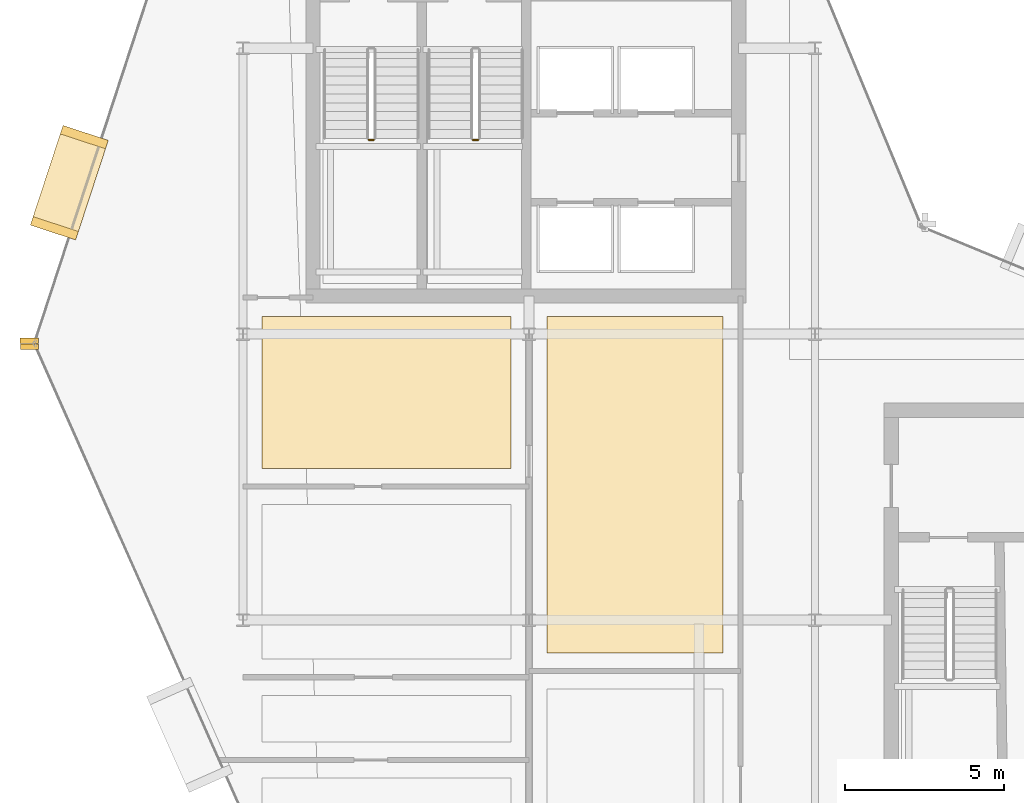
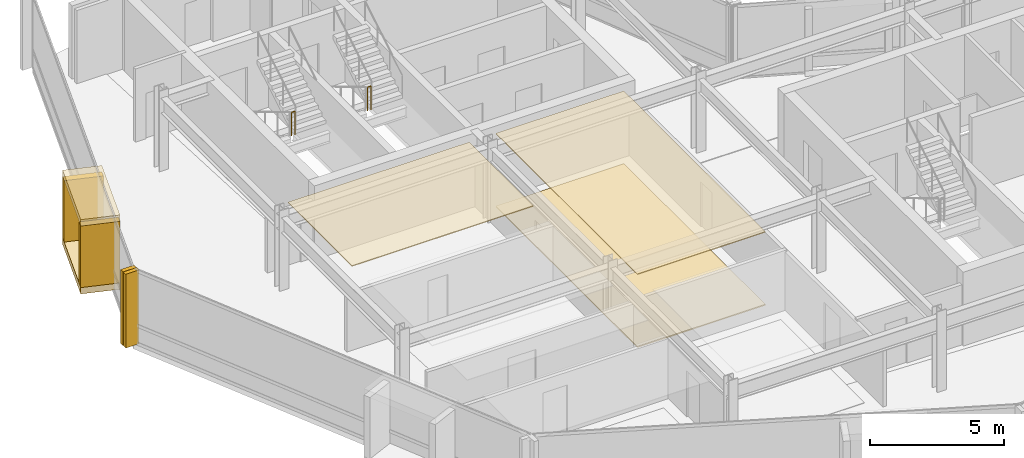
# One storey, part 23 of 27: 9 coverings, 2 railings.
"""IFC4 building model written with IfcOpenShell, lengths in metres."""

from ifc_helpers import new_model, si_unit, direction, frame, origin, origin_2d, place, context, subcontext, project, spatial, polyline, rectangle, circle, outline, extrude, material, layer, layer_set, type_object, element, save


model = new_model("IFC4")

# Units and contexts
model_context = context("Model", 3, precision=1e-05, world=origin(), true_north=direction((0.0, 1.0)))
body_context = subcontext(model_context, "Body", "Model", "MODEL_VIEW")
ifc_project = project(units=[si_unit("LENGTHUNIT", "METRE"), si_unit("AREAUNIT", "SQUARE_METRE"), si_unit("VOLUMEUNIT", "CUBIC_METRE"), si_unit("PLANEANGLEUNIT", "RADIAN"), si_unit("MASSUNIT", "GRAM", prefix="KILO")], contexts=[model_context])

# Site, building, storey
site_placement = place(None, origin())
site = spatial("IfcSite", under=ifc_project, at=site_placement, CompositionType="ELEMENT")
building_placement = place(site_placement, origin())
building = spatial("IfcBuilding", under=site, at=building_placement, Name="Solvaryn Broadcast Tower", CompositionType="ELEMENT")
storey_placement = place(building_placement, frame((0.0, 0.0, 232.10009765625)))
storey = spatial("IfcBuildingStorey", under=building, at=storey_placement, Name="L58", CompositionType="ELEMENT", Elevation=232.10009765625)

# Coverings
ifc_material_1 = material(Name="Micro-Perforated Acoustic Gypsum Ceiling", Category="concrete")
ifc_layer_1 = layer(ifc_material_1, 0.0400390625)
ifc_layer_set_1 = layer_set([ifc_layer_1], Name="CV-CEIL-ACOUSTIC")
covering_type_1 = type_object("IfcCoveringType", Name="CV-CEIL-ACOUSTIC", PredefinedType="CEILING", material=ifc_layer_set_1)
covering_1_placement = place(storey_placement, frame((0.0, 0.0, 3.329833984375)))
element("IfcCovering", 1, at=covering_1_placement, inside=storey, type_object=covering_type_1, Name="L58 Room Acoustic Ceiling 2", PredefinedType="CEILING", context=body_context, shape_type="SweptSolid", body=[
    extrude(outline(polyline([(18.570068359375, 16.969970703125), (24.10009765625, 16.969970703125), (24.10009765625, 27.56005859375), (18.570068359375, 27.56005859375), (18.570068359375, 16.969970703125)])), origin(), (0.0, 0.0, 1.0), 0.0400390625),
])
covering_2_placement = place(storey_placement, frame((0.0, 0.0, 3.329833984375)))
element("IfcCovering", 2, at=covering_2_placement, inside=storey, type_object=covering_type_1, Name="L58 Room Acoustic Ceiling 6", PredefinedType="CEILING", context=body_context, shape_type="SweptSolid", body=[
    extrude(outline(polyline([(9.60009765625, 22.77001953125), (17.429931640625, 22.77001953125), (17.429931640625, 27.56005859375), (9.60009765625, 27.56005859375), (9.60009765625, 22.77001953125)])), origin(), (0.0, 0.0, 1.0), 0.0400390625),
])
ifc_material_2 = material(Name="Newsroom Raised Data Access Flooring", Category="steel")
ifc_layer_2 = layer(ifc_material_2, 0.050048828125)
ifc_layer_set_2 = layer_set([ifc_layer_2], Name="CV-FLOOR-RAISED")
covering_type_2 = type_object("IfcCoveringType", Name="CV-FLOOR-RAISED", PredefinedType="FLOORING", material=ifc_layer_set_2)
covering_3_placement = place(storey_placement, origin())
element("IfcCovering", 3, at=covering_3_placement, inside=storey, type_object=covering_type_2, Name="L58 Room Acoustic Floor Finish 2", PredefinedType="FLOORING", context=body_context, shape_type="SweptSolid", body=[
    extrude(outline(polyline([(18.570068359375, 16.969970703125), (24.10009765625, 16.969970703125), (24.10009765625, 27.56005859375), (18.570068359375, 27.56005859375), (18.570068359375, 16.969970703125)])), origin(), (0.0, 0.0, 1.0), 0.0498046875),
])
ifc_material_3 = material(Name="Glazed Architectural Terracotta Rainscreen Cladding", Category="masonry")
ifc_layer_3 = layer(ifc_material_3, 0.280029296875)
ifc_layer_set_3 = layer_set([ifc_layer_3], Name="CV-TC-CLAD")
covering_type_3 = type_object("IfcCoveringType", Name="CV-TC-CLAD", PredefinedType="CLADDING", material=ifc_layer_set_3)
for number, where, z_axis, x_axis, name in (
    (4, (3.533935546875, 31.763916015625, 3.080078125), (0.0, 0.0, 1.0), (-0.311505792684, -0.950244253402, 0.0), "L58 Projecting Stone Window Box Hood 1"),
    (5, (3.533935546875, 31.763916015625, -0.01025390625), (0.0, 0.0, 1.0), (-0.311505792684, -0.950244253402, 0.0), "L58 Projecting Stone Window Box Sill 1"),
):
    element("IfcCovering", number, at=place(storey_placement, frame(where, z_axis=z_axis, x_axis=x_axis)), inside=storey, type_object=covering_type_3, Name=name, PredefinedType="CLADDING", context=body_context, shape_type="SweptSolid", body=[
        extrude(rectangle(XDim=3.300048828125, YDim=1.5, at=origin_2d()), origin(), (0.0, 0.0, 1.0), 0.300048828125),
    ])
for number, where, z_axis, x_axis, name in (
    (6, (4.00439453125, 33.198974609375, 0.27978515625), (0.0, 0.0, 1.0), (-0.311505792684, -0.950244253402, 0.0), "L58 Projecting Stone Window Box Cheek 1-1"),
    (7, (3.063720703125, 30.3291015625, 0.27978515625), (0.0, 0.0, 1.0), (-0.311505792684, -0.950244253402, 0.0), "L58 Projecting Stone Window Box Cheek 1-2"),
):
    element("IfcCovering", number, at=place(storey_placement, frame(where, z_axis=z_axis, x_axis=x_axis)), inside=storey, type_object=covering_type_3, Name=name, PredefinedType="CLADDING", context=body_context, shape_type="SweptSolid", body=[
        extrude(rectangle(XDim=0.280029296875, YDim=1.5, at=origin_2d()), origin(), (0.0, 0.0, 1.0), 2.81005859375),
    ])
ifc_material_4 = material(Name="Extruded Architectural Terracotta Fin", Category="masonry")
ifc_layer_4 = layer(ifc_material_4, 0.179931640625)
ifc_layer_set_4 = layer_set([ifc_layer_4], Name="CV-TC-FIN")
covering_type_4 = type_object("IfcCoveringType", Name="CV-TC-FIN", PredefinedType="USERDEFINED", material=ifc_layer_set_4)
for number, where, z_axis, x_axis, name in (
    (8, (2.271240234375, 26.790771484375, -0.000244140625), (0.0, 0.0, 1.0), (1.0, 0.0, 0.0), "L58 Terracotta Vertical Fin FIN-L58-DR1-M01"),
    (9, (2.281005859375, 26.605712890625, -0.000244140625), (0.0, 0.0, 1.0), (1.0, 0.0, 0.0), "L58 Terracotta Vertical Fin FIN-L58-DR2-M00"),
):
    element("IfcCovering", number, at=place(storey_placement, frame(where, z_axis=z_axis, x_axis=x_axis)), inside=storey, type_object=covering_type_4, Name=name, ObjectType="FIN", PredefinedType="USERDEFINED", context=body_context, shape_type="SweptSolid", body=[
        extrude(rectangle(XDim=0.580078125, YDim=0.179931640625, at=origin_2d()), origin(), (0.0, 0.0, 1.0), 3.3701171875),
    ])

# Railings
ifc_material_5 = material(Name="Painted Steel Stair Well Guard", Category="steel")
railing_type = type_object("IfcRailingType", Name="RL-STAIR-GUARD", PredefinedType="BALUSTRADE", material=ifc_material_5)
railing_1_placement = place(storey_placement, frame((12.9599609375, 33.110107421875, 1.849853515625)))
element("IfcRailing", 10, at=railing_1_placement, inside=storey, type_object=railing_type, Name="L58 ST1 stair guard 2", PredefinedType="BALUSTRADE", context=body_context, shape_type="SweptSolid", body=[
    extrude(circle(Radius=0.02392578125, at=origin_2d()), frame((0.0, 0.0, 1.076171875), z_axis=(1.0, 0.0, 0.0), x_axis=(0.0, 1.0, 0.0)), (0.0, 0.0, 1.0), 0.150146484375),
    extrude(circle(Radius=0.02099609375, at=origin_2d()), origin(), (0.0, 0.0, 1.0), 1.052001953125),
    extrude(circle(Radius=0.02099609375, at=origin_2d()), frame((0.150146484375, 0.0, 0.0)), (0.0, 0.0, 1.0), 1.052001953125),
])
railing_2_placement = place(storey_placement, frame((16.239990234375, 33.110107421875, 1.849853515625)))
element("IfcRailing", 11, at=railing_2_placement, inside=storey, type_object=railing_type, Name="L58 ST2 stair guard 2", PredefinedType="BALUSTRADE", context=body_context, shape_type="SweptSolid", body=[
    extrude(circle(Radius=0.02392578125, at=origin_2d()), frame((0.0, 0.0, 1.076171875), z_axis=(1.0, 0.0, 0.0), x_axis=(0.0, 1.0, 0.0)), (0.0, 0.0, 1.0), 0.14990234375),
    extrude(circle(Radius=0.02099609375, at=origin_2d()), origin(), (0.0, 0.0, 1.0), 1.052001953125),
    extrude(circle(Radius=0.02099609375, at=origin_2d()), frame((0.14990234375, 0.0, 0.0)), (0.0, 0.0, 1.0), 1.052001953125),
])

save(model, "model.ifc")
